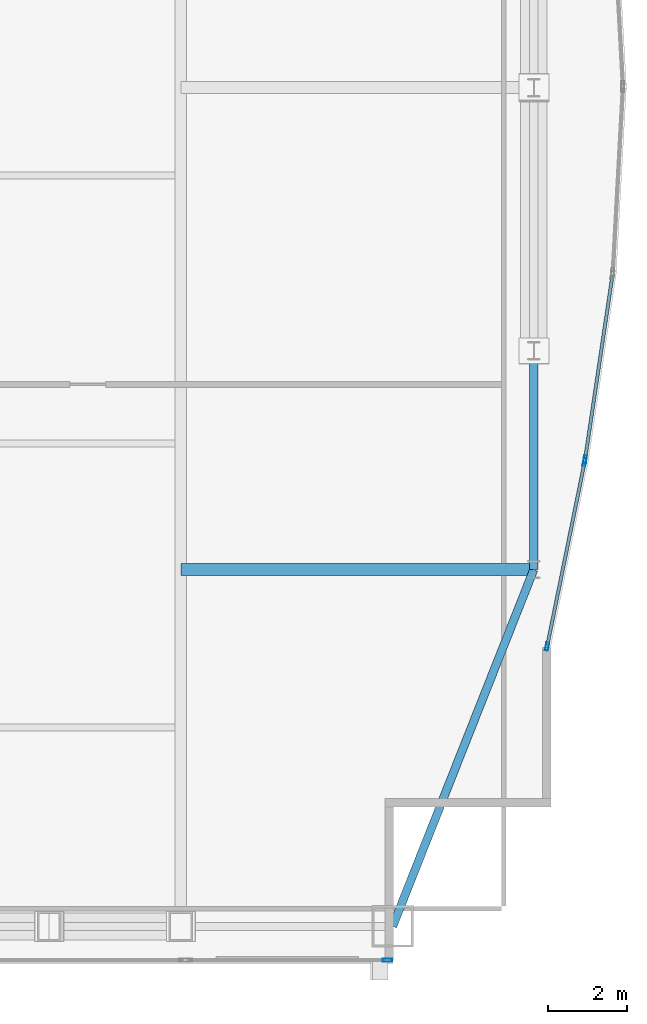
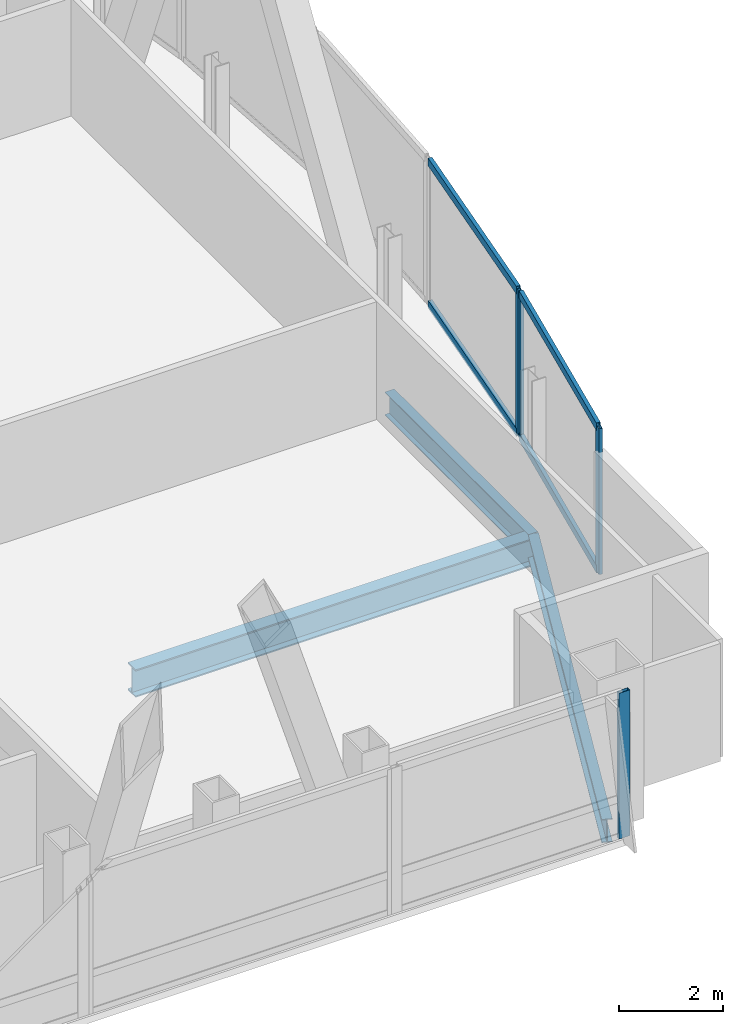
# One storey, part 16 of 31: 8 members, 3 beams, 3 elements without a shape of their own.
"""IFC4 building model written with IfcOpenShell, lengths in metres."""

from ifc_helpers import new_model, si_unit, direction, frame, origin, origin_2d, place, context, subcontext, project, spatial, hollow_rectangle, i_section, extrude, material, material_profile, profile_set, type_object, element, aggregate, save


model = new_model("IFC4")

# Units and contexts
model_context = context("Model", 3, precision=1e-05, world=origin(), true_north=direction((0.0, 1.0)))
body_context = subcontext(model_context, "Body", "Model", "MODEL_VIEW")
ifc_project = project(units=[si_unit("LENGTHUNIT", "METRE"), si_unit("AREAUNIT", "SQUARE_METRE"), si_unit("VOLUMEUNIT", "CUBIC_METRE"), si_unit("PLANEANGLEUNIT", "RADIAN"), si_unit("MASSUNIT", "GRAM", prefix="KILO")], contexts=[model_context])

# Site, building, storey
site_placement = place(None, origin())
site = spatial("IfcSite", under=ifc_project, at=site_placement, CompositionType="ELEMENT")
building_placement = place(site_placement, origin())
building = spatial("IfcBuilding", under=site, at=building_placement, Name="Khoronbel Lancet Exchange", CompositionType="ELEMENT")
storey_placement = place(building_placement, frame((0.0, 0.0, 273.39990234375)))
storey = spatial("IfcBuildingStorey", under=building, at=storey_placement, Name="L70", CompositionType="ELEMENT", Elevation=273.39990234375)

# Beams
ifc_material_1 = material(Name="Steel S355", Category="steel")
ifc_material_profile_1 = material_profile(ifc_material_1, i_section(OverallWidth=0.300048828125, OverallDepth=0.64990234375, WebThickness=0.01611328125, FlangeThickness=0.031005859375, at=origin_2d()), Name="HEB 650")
ifc_profile_set_1 = profile_set([ifc_material_profile_1], Name="Steel S355")
beam_type_1 = type_object("IfcBeamType", Name="BM-BG4", PredefinedType="BEAM", material=ifc_profile_set_1)
beam_1_placement = place(storey_placement, frame((54.675048828125, 19.199951171875, -0.48486328125), z_axis=(1.0, 0.0, 0.0), x_axis=(0.0, 1.0, 0.0)))
element("IfcBeam", 1, at=beam_1_placement, inside=storey, type_object=beam_type_1, Name="Level L70 east lens tie girder LG1E", PredefinedType="BEAM", context=body_context, shape_type="SweptSolid", body=[
    extrude(i_section(OverallWidth=0.300048828125, OverallDepth=0.64990234375, WebThickness=0.01611328125, FlangeThickness=0.031005859375, at=origin_2d()), origin(), (0.0, 0.0, 1.0), 8.954833984375),
])
ifc_material_profile_2 = material_profile(ifc_material_1, i_section(OverallWidth=0.2099609375, OverallDepth=0.550048828125, WebThickness=0.010986328125, FlangeThickness=0.01708984375, at=origin_2d()), Name="IPE 550")
ifc_profile_set_2 = profile_set([ifc_material_profile_2], Name="Steel S355")
beam_type_2 = type_object("IfcBeamType", Name="BM-BSP3", PredefinedType="SPANDREL", material=ifc_profile_set_2)
beam_2_placement = place(storey_placement, frame((60.050048828125, 10.14990234375, -0.434814453125), z_axis=(0.367828403855, 0.929893684954, 0.0), x_axis=(-0.929893684954, 0.367828403855, 0.0)))
element("IfcBeam", 2, at=beam_2_placement, inside=storey, type_object=beam_type_2, Name="Level L70 perimeter spandrel beam SP10", PredefinedType="SPANDREL", context=body_context, shape_type="SweptSolid", body=[
    extrude(i_section(OverallWidth=0.2099609375, OverallDepth=0.550048828125, WebThickness=0.010986328125, FlangeThickness=0.01708984375, at=origin_2d()), origin(), (0.0, 0.0, 1.0), 9.732421875),
])
beam_3_placement = place(storey_placement, frame((63.6298828125, 19.199951171875, -0.434814453125), z_axis=(0.0, 1.0, 0.0), x_axis=(-1.0, 0.0, 0.0)))
element("IfcBeam", 3, at=beam_3_placement, inside=storey, type_object=beam_type_2, Name="Level L70 perimeter spandrel beam SP11", PredefinedType="SPANDREL", context=body_context, shape_type="SweptSolid", body=[
    extrude(i_section(OverallWidth=0.2099609375, OverallDepth=0.550048828125, WebThickness=0.010986328125, FlangeThickness=0.01708984375, at=origin_2d()), origin(), (0.0, 0.0, 1.0), 5.550048828125),
])

# Curtain wall, member
ifc_material_2 = material(Name="Low-E Solar Control Insulating Glass", Category="glass")
curtain_wall_type_1 = type_object("IfcCurtainWallType", Name="CW-3", PredefinedType="NOTDEFINED", material=ifc_material_2)
curtain_wall_1_placement = place(storey_placement, origin())
curtain_wall_1 = element("IfcCurtainWall", 4, at=curtain_wall_1_placement, inside=storey, type_object=curtain_wall_type_1, Name="Unitised curtain wall CW-L70-SEV", PredefinedType="NOTDEFINED")
ifc_material_3 = material(Name="Bronze-Anodised Aluminium 6063-T6", Category="aluminium")
ifc_material_profile_3 = material_profile(ifc_material_3, hollow_rectangle(XDim=0.0849609375, YDim=0.239990234375, WallThickness=0.006103515625, at=origin_2d()), Name="ALU MULLION 85x240")
ifc_profile_set_3 = profile_set([ifc_material_profile_3], Name="Bronze-Anodised Aluminium 6063-T6")
member_type_1 = type_object("IfcMemberType", Name="MEM-CWM1", PredefinedType="MULLION", material=ifc_profile_set_3)
member_1_placement = place(storey_placement, frame((59.91748046875, 9.2900390625, 0.0), z_axis=(0.0, 0.0, 1.0), x_axis=(0.0, 1.0, 0.0)))
member_1 = element("IfcMember", 5, at=member_1_placement, type_object=member_type_1, Name="CW3 mullion 2", PredefinedType="MULLION", context=body_context, shape_type="SweptSolid", body=[
    extrude(hollow_rectangle(XDim=0.0849609375, YDim=0.239990234375, WallThickness=0.006103515625, at=origin_2d()), origin(), (0.0, 0.0, 1.0), 3.440185546875),
])
aggregate(curtain_wall_1, [member_1])

curtain_wall_type_2 = type_object("IfcCurtainWallType", Name="CW-4", PredefinedType="NOTDEFINED", material=ifc_material_2)
curtain_wall_2_placement = place(storey_placement, origin())
curtain_wall_2 = element("IfcCurtainWall", 6, at=curtain_wall_2_placement, inside=storey, type_object=curtain_wall_type_2, Name="Unitised curtain wall CW-L70-E21", PredefinedType="NOTDEFINED")
ifc_material_profile_4 = material_profile(ifc_material_3, hollow_rectangle(XDim=0.074951171875, YDim=0.199951171875, WallThickness=0.0048828125, at=origin_2d()), Name="ALU MULLION 75x200")
ifc_profile_set_4 = profile_set([ifc_material_profile_4], Name="Bronze-Anodised Aluminium 6063-T6")
member_type_2 = type_object("IfcMemberType", Name="MEM-CWM2", PredefinedType="MULLION", material=ifc_profile_set_4)
member_2_placement = place(storey_placement, frame((64.93212890625, 22.002685546875, 0.0), z_axis=(0.0, 0.0, 1.0), x_axis=(0.989113824461, -0.147152445645, 0.0)))
member_2 = element("IfcMember", 7, at=member_2_placement, type_object=member_type_2, Name="CW4 mullion 2", PredefinedType="MULLION", context=body_context, shape_type="SweptSolid", body=[
    extrude(hollow_rectangle(XDim=0.074951171875, YDim=0.199951171875, WallThickness=0.0048828125, at=origin_2d()), origin(), (0.0, 0.0, 1.0), 3.440185546875),
])

# Curtain wall, members
curtain_wall_3_placement = place(storey_placement, origin())
curtain_wall_3 = element("IfcCurtainWall", 8, at=curtain_wall_3_placement, inside=storey, type_object=curtain_wall_type_2, Name="Unitised curtain wall CW-L70-E22", PredefinedType="NOTDEFINED")
member_3_placement = place(storey_placement, frame((64.9189453125, 21.928955078125, 0.0), z_axis=(0.0, 0.0, 1.0), x_axis=(0.979973815588, -0.199126393935, 0.0)))
member_3 = element("IfcMember", 9, at=member_3_placement, type_object=member_type_2, Name="CW4 mullion 1", PredefinedType="MULLION", context=body_context, shape_type="SweptSolid", body=[
    extrude(hollow_rectangle(XDim=0.074951171875, YDim=0.199951171875, WallThickness=0.0048828125, at=origin_2d()), origin(), (0.0, 0.0, 1.0), 3.440185546875),
])
member_4_placement = place(storey_placement, frame((63.967529296875, 17.245849609375, 0.0), z_axis=(0.0, 0.0, 1.0), x_axis=(0.979973815588, -0.199126393935, 0.0)))
member_4 = element("IfcMember", 10, at=member_4_placement, type_object=member_type_2, Name="CW4 mullion 2", PredefinedType="MULLION", context=body_context, shape_type="SweptSolid", body=[
    extrude(hollow_rectangle(XDim=0.074951171875, YDim=0.199951171875, WallThickness=0.0048828125, at=origin_2d()), origin(), (0.0, 0.0, 1.0), 3.440185546875),
])

# Member
ifc_material_profile_5 = material_profile(ifc_material_3, hollow_rectangle(XDim=0.0849609375, YDim=0.179931640625, WallThickness=0.0048828125, at=origin_2d()), Name="ALU TRANSOM 85x180")
ifc_profile_set_5 = profile_set([ifc_material_profile_5], Name="Bronze-Anodised Aluminium 6063-T6")
member_type_3 = type_object("IfcMemberType", Name="MEM-CWT1", PredefinedType="USERDEFINED", material=ifc_profile_set_5)
member_5_placement = place(storey_placement, frame((65.62109375, 26.635009765625, 0.04248046875), z_axis=(-0.147142849108, -0.98911525211, 0.0), x_axis=(0.98911525211, -0.147142849108, 0.0)))
member_5 = element("IfcMember", 11, at=member_5_placement, type_object=member_type_3, Name="CW4 transom 1.1", ObjectType="TRANSOM", PredefinedType="USERDEFINED", context=body_context, shape_type="SweptSolid", body=[
    extrude(hollow_rectangle(XDim=0.0849609375, YDim=0.179931640625, WallThickness=0.0048828125, at=origin_2d()), origin(), (0.0, 0.0, 1.0), 4.645751953125),
])

member_6_placement = place(storey_placement, frame((65.62109375, 26.635009765625, 3.397705078125), z_axis=(-0.147142849108, -0.98911525211, 0.0), x_axis=(0.98911525211, -0.147142849108, 0.0)))
member_6 = element("IfcMember", 12, at=member_6_placement, type_object=member_type_3, Name="CW4 transom 1.2", ObjectType="TRANSOM", PredefinedType="USERDEFINED", context=body_context, shape_type="SweptSolid", body=[
    extrude(hollow_rectangle(XDim=0.0849609375, YDim=0.179931640625, WallThickness=0.0048828125, at=origin_2d()), origin(), (0.0, 0.0, 1.0), 4.645751953125),
])

aggregate(curtain_wall_2, [member_2, member_5, member_6])

member_7_placement = place(storey_placement, frame((64.91162109375, 21.89208984375, 0.04248046875), z_axis=(-0.199159619871, -0.979967063637, 0.0), x_axis=(0.979967063637, -0.199159619871, 0.0)))
member_7 = element("IfcMember", 13, at=member_7_placement, type_object=member_type_3, Name="CW4 transom 1.1", ObjectType="TRANSOM", PredefinedType="USERDEFINED", context=body_context, shape_type="SweptSolid", body=[
    extrude(hollow_rectangle(XDim=0.0849609375, YDim=0.179931640625, WallThickness=0.0048828125, at=origin_2d()), origin(), (0.0, 0.0, 1.0), 4.70361328125),
])

member_8_placement = place(storey_placement, frame((64.91162109375, 21.89208984375, 3.397705078125), z_axis=(-0.199159619871, -0.979967063637, 0.0), x_axis=(0.979967063637, -0.199159619871, 0.0)))
member_8 = element("IfcMember", 14, at=member_8_placement, type_object=member_type_3, Name="CW4 transom 1.2", ObjectType="TRANSOM", PredefinedType="USERDEFINED", context=body_context, shape_type="SweptSolid", body=[
    extrude(hollow_rectangle(XDim=0.0849609375, YDim=0.179931640625, WallThickness=0.0048828125, at=origin_2d()), origin(), (0.0, 0.0, 1.0), 4.70361328125),
])

aggregate(curtain_wall_3, [member_3, member_4, member_7, member_8])

save(model, "model.ifc")
